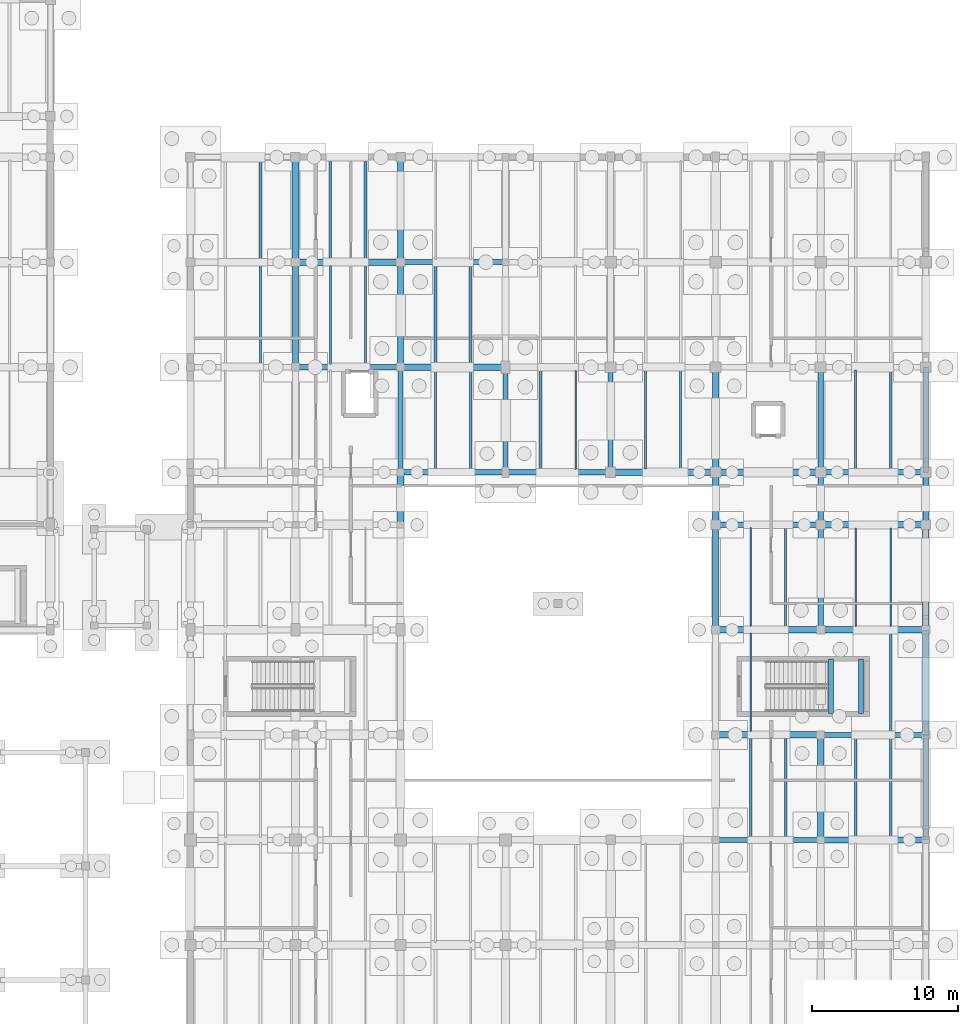
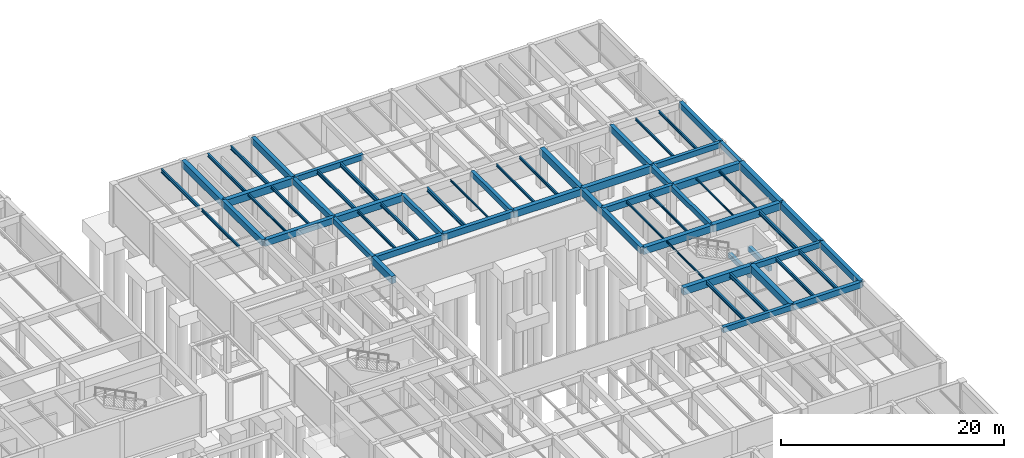
# One storey, part 37 of 63: 65 beams.
"""IFC4 building model written with IfcOpenShell, lengths in metres."""

from ifc_helpers import new_model, si_unit, direction, frame, origin, origin_2d, place, context, subcontext, project, spatial, rectangle, i_section, extrude, material, material_profile, profile_set, type_object, element, save


model = new_model("IFC4")

# Units and contexts
model_context = context("Model", 3, precision=1e-05, world=origin(), true_north=direction((0.0, 1.0)))
body_context = subcontext(model_context, "Body", "Model", "MODEL_VIEW")
ifc_project = project(units=[si_unit("LENGTHUNIT", "METRE"), si_unit("AREAUNIT", "SQUARE_METRE"), si_unit("VOLUMEUNIT", "CUBIC_METRE"), si_unit("PLANEANGLEUNIT", "RADIAN"), si_unit("MASSUNIT", "GRAM", prefix="KILO")], contexts=[model_context])

# Site, building, storey
site_placement = place(None, origin())
site = spatial("IfcSite", under=ifc_project, at=site_placement, CompositionType="ELEMENT")
building_placement = place(site_placement, origin())
building = spatial("IfcBuilding", under=site, at=building_placement, Name="Mazaris Harbour Polytechnic", CompositionType="ELEMENT")
storey_placement = place(building_placement, frame((0.0, 0.0, -4.5)))
storey = spatial("IfcBuildingStorey", under=building, at=storey_placement, Name="B1", CompositionType="ELEMENT", Elevation=-4.5)

# Beams
ifc_material_1 = material(Name="Concrete C35/45", Category="concrete")
ifc_material_profile_1 = material_profile(ifc_material_1, rectangle(XDim=0.35009765625, YDim=0.60009765625, at=origin_2d()), Name="RECT350x600")
ifc_profile_set_1 = profile_set([ifc_material_profile_1], Name="Concrete C35/45")
beam_type_1 = type_object("IfcBeamType", Name="RC Girder 350x600", PredefinedType="BEAM", material=ifc_profile_set_1)
beam_1_placement = place(storey_placement, frame((158.39990234375, 61.199951171875, 3.8798828125), z_axis=(1.0, 0.0, 0.0), x_axis=(0.0, 1.0, 0.0)))
element("IfcBeam", 1, at=beam_1_placement, inside=storey, type_object=beam_type_1, Name="V5 B1 Girder 2505", PredefinedType="BEAM", context=body_context, shape_type="SweptSolid", body=[
    extrude(rectangle(XDim=0.35009765625, YDim=0.60009765625, at=origin_2d()), origin(), (0.0, 0.0, 1.0), 7.2001953125),
])
for number, where, z_axis, x_axis, name in (
    (2, (165.60009765625, 68.39990234375, 3.8798828125), (1.0, 0.0, 0.0), (0.0, 1.0, 0.0), "V5 B1 Girder 2510"),
    (3, (165.60009765625, 86.39990234375, 3.8798828125), (1.0, 0.0, 0.0), (0.0, 1.0, 0.0), "V5 B1 Girder 2525"),
    (4, (136.800048828125, 100.800048828125, 3.8798828125), (1.0, 0.0, 0.0), (0.0, 1.0, 0.0), "V5 B1 Girder 2535"),
):
    element("IfcBeam", number, at=place(storey_placement, frame(where, z_axis=z_axis, x_axis=x_axis)), inside=storey, type_object=beam_type_1, Name=name, PredefinedType="BEAM", context=body_context, shape_type="SweptSolid", body=[
        extrude(rectangle(XDim=0.35009765625, YDim=0.60009765625, at=origin_2d()), origin(), (0.0, 0.0, 1.0), 7.199951171875),
    ])
for number, where, z_axis, x_axis, name in (
    (5, (136.800048828125, 86.39990234375, 3.8798828125), (0.0, 1.0, 0.0), (-1.0, 0.0, 0.0), "V5 B1 Tie Girder 2570"),
    (6, (144.0, 86.39990234375, 3.8798828125), (0.0, 1.0, 0.0), (-1.0, 0.0, 0.0), "V5 B1 Tie Girder 2575"),
    (7, (151.199951171875, 86.39990234375, 3.8798828125), (0.0, 1.0, 0.0), (-1.0, 0.0, 0.0), "V5 B1 Tie Girder 2580"),
):
    element("IfcBeam", number, at=place(storey_placement, frame(where, z_axis=z_axis, x_axis=x_axis)), inside=storey, type_object=beam_type_1, Name=name, PredefinedType="BEAM", context=body_context, shape_type="SweptSolid", body=[
        extrude(rectangle(XDim=0.35009765625, YDim=0.60009765625, at=origin_2d()), origin(), (0.0, 0.0, 1.0), 7.2001953125),
    ])
beam_2_placement = place(storey_placement, frame((165.60009765625, 75.60009765625, 3.8798828125), z_axis=(0.0, 1.0, 0.0), x_axis=(-1.0, 0.0, 0.0)))
element("IfcBeam", 8, at=beam_2_placement, inside=storey, type_object=beam_type_1, Name="V5 B1 Tie Girder 2595", PredefinedType="BEAM", context=body_context, shape_type="SweptSolid", body=[
    extrude(rectangle(XDim=0.35009765625, YDim=0.60009765625, at=origin_2d()), origin(), (0.0, 0.0, 1.0), 7.199951171875),
])
ifc_material_2 = material(Name="Concrete C35/45", Category="concrete")
ifc_material_profile_2 = material_profile(ifc_material_2, rectangle(XDim=0.35009765625, YDim=0.60009765625, at=origin_2d()), Name="RECT350x600")
ifc_profile_set_2 = profile_set([ifc_material_profile_2], Name="Concrete C35/45")
beam_type_2 = type_object("IfcBeamType", Name="RC Girder 350x600 Exterior", PredefinedType="BEAM", material=ifc_profile_set_2)
beam_3_placement = place(storey_placement, frame((172.800048828125, 82.800048828125, 3.8798828125), z_axis=(0.0, 1.0, 0.0), x_axis=(-1.0, 0.0, 0.0)))
element("IfcBeam", 9, at=beam_3_placement, inside=storey, type_object=beam_type_2, Name="V5 B1 Tie Girder 2605", PredefinedType="BEAM", context=body_context, shape_type="SweptSolid", body=[
    extrude(rectangle(XDim=0.35009765625, YDim=0.60009765625, at=origin_2d()), origin(), (0.0, 0.0, 1.0), 3.599853515625),
])
ifc_material_3 = material(Name="Concrete C35/45", Category="concrete")
ifc_material_profile_3 = material_profile(ifc_material_3, rectangle(XDim=0.39990234375, YDim=0.64990234375, at=origin_2d()), Name="RECT400x650")
ifc_profile_set_3 = profile_set([ifc_material_profile_3], Name="Concrete C35/45")
beam_type_3 = type_object("IfcBeamType", Name="RC Girder 400x650", PredefinedType="BEAM", material=ifc_profile_set_3)
for number, where, z_axis, x_axis, name in (
    (10, (165.60009765625, 61.199951171875, 3.85498046875), (1.0, 0.0, 0.0), (0.0, 1.0, 0.0), "V5 B1 Girder 2506"),
    (11, (136.800048828125, 86.39990234375, 3.85498046875), (1.0, 0.0, 0.0), (0.0, 1.0, 0.0), "V5 B1 Girder 2521"),
    (12, (136.800048828125, 93.60009765625, 3.85498046875), (0.0, 1.0, 0.0), (-1.0, 0.0, 0.0), "V5 B1 Tie Girder 2571"),
):
    element("IfcBeam", number, at=place(storey_placement, frame(where, z_axis=z_axis, x_axis=x_axis)), inside=storey, type_object=beam_type_3, Name=name, PredefinedType="BEAM", context=body_context, shape_type="SweptSolid", body=[
        extrude(rectangle(XDim=0.39990234375, YDim=0.64990234375, at=origin_2d()), origin(), (0.0, 0.0, 1.0), 7.199951171875),
    ])
beam_4_placement = place(storey_placement, frame((165.60009765625, 82.800048828125, 3.85498046875), z_axis=(0.0, 1.0, 0.0), x_axis=(-1.0, 0.0, 0.0)))
element("IfcBeam", 13, at=beam_4_placement, inside=storey, type_object=beam_type_3, Name="V5 B1 Tie Girder 2596", PredefinedType="BEAM", context=body_context, shape_type="SweptSolid", body=[
    extrude(rectangle(XDim=0.39990234375, YDim=0.64990234375, at=origin_2d()), origin(), (0.0, 0.0, 1.0), 3.599853515625),
])
ifc_material_4 = material(Name="Concrete C35/45", Category="concrete")
ifc_material_profile_4 = material_profile(ifc_material_4, rectangle(XDim=0.39990234375, YDim=0.64990234375, at=origin_2d()), Name="RECT400x650")
ifc_profile_set_4 = profile_set([ifc_material_profile_4], Name="Concrete C35/45")
beam_type_4 = type_object("IfcBeamType", Name="RC Girder 400x650 Exterior", PredefinedType="BEAM", material=ifc_profile_set_4)
beam_5_placement = place(storey_placement, frame((172.800048828125, 86.39990234375, 3.85498046875), z_axis=(0.0, 1.0, 0.0), x_axis=(-1.0, 0.0, 0.0)))
element("IfcBeam", 14, at=beam_5_placement, inside=storey, type_object=beam_type_4, Name="V5 B1 Tie Girder 2606", PredefinedType="BEAM", context=body_context, shape_type="SweptSolid", body=[
    extrude(rectangle(XDim=0.39990234375, YDim=0.64990234375, at=origin_2d()), origin(), (0.0, 0.0, 1.0), 7.2001953125),
])
ifc_material_5 = material(Name="Concrete C35/45", Category="concrete")
ifc_material_profile_5 = material_profile(ifc_material_5, rectangle(XDim=0.39990234375, YDim=0.699951171875, at=origin_2d()), Name="RECT400x700")
ifc_profile_set_5 = profile_set([ifc_material_profile_5], Name="Concrete C35/45")
beam_type_5 = type_object("IfcBeamType", Name="RC Girder 400x700", PredefinedType="BEAM", material=ifc_profile_set_5)
beam_6_placement = place(storey_placement, frame((158.39990234375, 82.800048828125, 3.830078125), z_axis=(1.0, 0.0, 0.0), x_axis=(0.0, 1.0, 0.0)))
element("IfcBeam", 15, at=beam_6_placement, inside=storey, type_object=beam_type_5, Name="V5 B1 Girder 2517", PredefinedType="BEAM", context=body_context, shape_type="SweptSolid", body=[
    extrude(rectangle(XDim=0.39990234375, YDim=0.699951171875, at=origin_2d()), origin(), (0.0, 0.0, 1.0), 7.2001953125),
])
for number, where, z_axis, x_axis, name in (
    (16, (144.0, 86.39990234375, 3.830078125), (1.0, 0.0, 0.0), (0.0, 1.0, 0.0), "V5 B1 Girder 2522"),
    (17, (129.60009765625, 93.60009765625, 3.830078125), (1.0, 0.0, 0.0), (0.0, 1.0, 0.0), "V5 B1 Girder 2527"),
    (18, (129.60009765625, 93.60009765625, 3.830078125), (0.0, 1.0, 0.0), (-1.0, 0.0, 0.0), "V5 B1 Tie Girder 2562"),
    (19, (136.800048828125, 100.800048828125, 3.830078125), (0.0, 1.0, 0.0), (-1.0, 0.0, 0.0), "V5 B1 Tie Girder 2572"),
    (20, (158.39990234375, 75.60009765625, 3.830078125), (0.0, 1.0, 0.0), (-1.0, 0.0, 0.0), "V5 B1 Tie Girder 2587"),
):
    element("IfcBeam", number, at=place(storey_placement, frame(where, z_axis=z_axis, x_axis=x_axis)), inside=storey, type_object=beam_type_5, Name=name, PredefinedType="BEAM", context=body_context, shape_type="SweptSolid", body=[
        extrude(rectangle(XDim=0.39990234375, YDim=0.699951171875, at=origin_2d()), origin(), (0.0, 0.0, 1.0), 7.199951171875),
    ])
beam_7_placement = place(storey_placement, frame((165.60009765625, 86.39990234375, 3.830078125), z_axis=(0.0, 1.0, 0.0), x_axis=(-1.0, 0.0, 0.0)))
element("IfcBeam", 21, at=beam_7_placement, inside=storey, type_object=beam_type_5, Name="V5 B1 Tie Girder 2597", PredefinedType="BEAM", context=body_context, shape_type="SweptSolid", body=[
    extrude(rectangle(XDim=0.39990234375, YDim=0.699951171875, at=origin_2d()), origin(), (0.0, 0.0, 1.0), 7.2001953125),
])
ifc_material_6 = material(Name="Concrete C35/45", Category="concrete")
ifc_material_profile_6 = material_profile(ifc_material_6, rectangle(XDim=0.39990234375, YDim=0.699951171875, at=origin_2d()), Name="RECT400x700")
ifc_profile_set_6 = profile_set([ifc_material_profile_6], Name="Concrete C35/45")
beam_type_6 = type_object("IfcBeamType", Name="RC Girder 400x700 Exterior", PredefinedType="BEAM", material=ifc_profile_set_6)
beam_8_placement = place(storey_placement, frame((172.800048828125, 61.199951171875, 3.830078125), z_axis=(0.0, 1.0, 0.0), x_axis=(-1.0, 0.0, 0.0)))
element("IfcBeam", 22, at=beam_8_placement, inside=storey, type_object=beam_type_6, Name="V5 B1 Tie Girder 2602", PredefinedType="BEAM", context=body_context, shape_type="SweptSolid", body=[
    extrude(rectangle(XDim=0.39990234375, YDim=0.699951171875, at=origin_2d()), origin(), (0.0, 0.0, 1.0), 7.199951171875),
])
ifc_material_7 = material(Name="Concrete C40/50", Category="concrete")
ifc_material_profile_7 = material_profile(ifc_material_7, rectangle(XDim=0.449951171875, YDim=0.75, at=origin_2d()), Name="RECT450x750")
ifc_profile_set_7 = profile_set([ifc_material_profile_7], Name="Concrete C40/50")
beam_type_7 = type_object("IfcBeamType", Name="RC Girder 450x750", PredefinedType="BEAM", material=ifc_profile_set_7)
beam_9_placement = place(storey_placement, frame((158.39990234375, 75.60009765625, 3.804931640625), z_axis=(1.0, 0.0, 0.0), x_axis=(0.0, 1.0, 0.0)))
element("IfcBeam", 23, at=beam_9_placement, inside=storey, type_object=beam_type_7, Name="V5 B1 Girder 2513", PredefinedType="BEAM", context=body_context, shape_type="SweptSolid", body=[
    extrude(rectangle(XDim=0.449951171875, YDim=0.75, at=origin_2d()), origin(), (0.0, 0.0, 1.0), 7.2001953125),
])
for number, where, z_axis, x_axis, name in (
    (24, (165.60009765625, 82.800048828125, 3.804931640625), (1.0, 0.0, 0.0), (0.0, 1.0, 0.0), "V5 B1 Girder 2518"),
    (25, (151.199951171875, 86.39990234375, 3.804931640625), (1.0, 0.0, 0.0), (0.0, 1.0, 0.0), "V5 B1 Girder 2523"),
    (26, (136.800048828125, 93.60009765625, 3.804931640625), (1.0, 0.0, 0.0), (0.0, 1.0, 0.0), "V5 B1 Girder 2528"),
    (27, (129.60009765625, 100.800048828125, 3.804931640625), (0.0, 1.0, 0.0), (-1.0, 0.0, 0.0), "V5 B1 Tie Girder 2563"),
):
    element("IfcBeam", number, at=place(storey_placement, frame(where, z_axis=z_axis, x_axis=x_axis)), inside=storey, type_object=beam_type_7, Name=name, PredefinedType="BEAM", context=body_context, shape_type="SweptSolid", body=[
        extrude(rectangle(XDim=0.449951171875, YDim=0.75, at=origin_2d()), origin(), (0.0, 0.0, 1.0), 7.199951171875),
    ])
beam_10_placement = place(storey_placement, frame((158.39990234375, 82.800048828125, 3.804931640625), z_axis=(0.0, 1.0, 0.0), x_axis=(-1.0, 0.0, 0.0)))
element("IfcBeam", 28, at=beam_10_placement, inside=storey, type_object=beam_type_7, Name="V5 B1 Tie Girder 2588", PredefinedType="BEAM", context=body_context, shape_type="SweptSolid", body=[
    extrude(rectangle(XDim=0.449951171875, YDim=0.75, at=origin_2d()), origin(), (0.0, 0.0, 1.0), 3.599853515625),
])
ifc_material_8 = material(Name="Concrete C40/50", Category="concrete")
ifc_material_profile_8 = material_profile(ifc_material_8, rectangle(XDim=0.449951171875, YDim=0.75, at=origin_2d()), Name="RECT450x750")
ifc_profile_set_8 = profile_set([ifc_material_profile_8], Name="Concrete C40/50")
beam_type_8 = type_object("IfcBeamType", Name="RC Girder 450x750 Exterior", PredefinedType="BEAM", material=ifc_profile_set_8)
beam_11_placement = place(storey_placement, frame((172.800048828125, 68.39990234375, 3.804931640625), z_axis=(0.0, 1.0, 0.0), x_axis=(-1.0, 0.0, 0.0)))
element("IfcBeam", 29, at=beam_11_placement, inside=storey, type_object=beam_type_8, Name="V5 B1 Tie Girder 2603", PredefinedType="BEAM", context=body_context, shape_type="SweptSolid", body=[
    extrude(rectangle(XDim=0.449951171875, YDim=0.75, at=origin_2d()), origin(), (0.0, 0.0, 1.0), 7.2001953125),
])
ifc_material_9 = material(Name="Concrete C40/50", Category="concrete")
ifc_material_profile_9 = material_profile(ifc_material_9, rectangle(XDim=0.449951171875, YDim=0.800048828125, at=origin_2d()), Name="RECT450x800")
ifc_profile_set_9 = profile_set([ifc_material_profile_9], Name="Concrete C40/50")
beam_type_9 = type_object("IfcBeamType", Name="RC Girder 450x800", PredefinedType="BEAM", material=ifc_profile_set_9)
beam_12_placement = place(storey_placement, frame((158.39990234375, 68.39990234375, 3.780029296875), z_axis=(1.0, 0.0, 0.0), x_axis=(0.0, 1.0, 0.0)))
element("IfcBeam", 30, at=beam_12_placement, inside=storey, type_object=beam_type_9, Name="V5 B1 Girder 2509", PredefinedType="BEAM", context=body_context, shape_type="SweptSolid", body=[
    extrude(rectangle(XDim=0.449951171875, YDim=0.800048828125, at=origin_2d()), origin(), (0.0, 0.0, 1.0), 7.2001953125),
])
beam_13_placement = place(storey_placement, frame((165.60009765625, 75.60009765625, 3.780029296875), z_axis=(1.0, 0.0, 0.0), x_axis=(0.0, 1.0, 0.0)))
element("IfcBeam", 31, at=beam_13_placement, inside=storey, type_object=beam_type_9, Name="V5 B1 Girder 2514", PredefinedType="BEAM", context=body_context, shape_type="SweptSolid", body=[
    extrude(rectangle(XDim=0.449951171875, YDim=0.800048828125, at=origin_2d()), origin(), (0.0, 0.0, 1.0), 7.199951171875),
])
beam_14_placement = place(storey_placement, frame((158.39990234375, 86.39990234375, 3.780029296875), z_axis=(1.0, 0.0, 0.0), x_axis=(0.0, 1.0, 0.0)))
element("IfcBeam", 32, at=beam_14_placement, inside=storey, type_object=beam_type_9, Name="V5 B1 Girder 2524", PredefinedType="BEAM", context=body_context, shape_type="SweptSolid", body=[
    extrude(rectangle(XDim=0.449951171875, YDim=0.800048828125, at=origin_2d()), origin(), (0.0, 0.0, 1.0), 7.2001953125),
])
beam_15_placement = place(storey_placement, frame((129.60009765625, 100.800048828125, 3.780029296875), z_axis=(1.0, 0.0, 0.0), x_axis=(0.0, 1.0, 0.0)))
element("IfcBeam", 33, at=beam_15_placement, inside=storey, type_object=beam_type_9, Name="V5 B1 Girder 2534", PredefinedType="BEAM", context=body_context, shape_type="SweptSolid", body=[
    extrude(rectangle(XDim=0.449951171875, YDim=0.800048828125, at=origin_2d()), origin(), (0.0, 0.0, 1.0), 7.199951171875),
])
beam_16_placement = place(storey_placement, frame((136.800048828125, 82.800048828125, 3.780029296875), z_axis=(0.0, 1.0, 0.0), x_axis=(-1.0, 0.0, 0.0)))
element("IfcBeam", 34, at=beam_16_placement, inside=storey, type_object=beam_type_9, Name="V5 B1 Tie Girder 2569", PredefinedType="BEAM", context=body_context, shape_type="SweptSolid", body=[
    extrude(rectangle(XDim=0.449951171875, YDim=0.800048828125, at=origin_2d()), origin(), (0.0, 0.0, 1.0), 3.599853515625),
])
beam_17_placement = place(storey_placement, frame((158.39990234375, 86.39990234375, 3.780029296875), z_axis=(0.0, 1.0, 0.0), x_axis=(-1.0, 0.0, 0.0)))
element("IfcBeam", 35, at=beam_17_placement, inside=storey, type_object=beam_type_9, Name="V5 B1 Tie Girder 2589", PredefinedType="BEAM", context=body_context, shape_type="SweptSolid", body=[
    extrude(rectangle(XDim=0.449951171875, YDim=0.800048828125, at=origin_2d()), origin(), (0.0, 0.0, 1.0), 7.2001953125),
])
beam_18_placement = place(storey_placement, frame((165.60009765625, 61.199951171875, 3.780029296875), z_axis=(0.0, 1.0, 0.0), x_axis=(-1.0, 0.0, 0.0)))
element("IfcBeam", 36, at=beam_18_placement, inside=storey, type_object=beam_type_9, Name="V5 B1 Tie Girder 2594", PredefinedType="BEAM", context=body_context, shape_type="SweptSolid", body=[
    extrude(rectangle(XDim=0.449951171875, YDim=0.800048828125, at=origin_2d()), origin(), (0.0, 0.0, 1.0), 7.199951171875),
])
ifc_material_10 = material(Name="Concrete C40/50", Category="concrete")
ifc_material_profile_10 = material_profile(ifc_material_10, rectangle(XDim=0.449951171875, YDim=0.800048828125, at=origin_2d()), Name="RECT450x800")
ifc_profile_set_10 = profile_set([ifc_material_profile_10], Name="Concrete C40/50")
beam_type_10 = type_object("IfcBeamType", Name="RC Girder 450x800 Exterior", PredefinedType="BEAM", material=ifc_profile_set_10)
beam_19_placement = place(storey_placement, frame((172.800048828125, 75.60009765625, 3.780029296875), z_axis=(0.0, 1.0, 0.0), x_axis=(-1.0, 0.0, 0.0)))
element("IfcBeam", 37, at=beam_19_placement, inside=storey, type_object=beam_type_10, Name="V5 B1 Tie Girder 2604", PredefinedType="BEAM", context=body_context, shape_type="SweptSolid", body=[
    extrude(rectangle(XDim=0.449951171875, YDim=0.800048828125, at=origin_2d()), origin(), (0.0, 0.0, 1.0), 7.199951171875),
])
ifc_material_11 = material(Name="Concrete C40/50", Category="concrete")
ifc_material_profile_11 = material_profile(ifc_material_11, rectangle(XDim=0.35009765625, YDim=0.52001953125, at=origin_2d()), Name="RECT350x520")
ifc_profile_set_11 = profile_set([ifc_material_profile_11], Name="Concrete C40/50")
beam_type_11 = type_object("IfcBeamType", Name="RC Landing Bearer 350x520", PredefinedType="BEAM", material=ifc_profile_set_11)
for number, where, z_axis, x_axis, name in (
    (38, (166.300048828125, 69.85009765625, 1.7900390625), (0.0, 1.0, 0.0), (-1.0, 0.0, 0.0), "Core ST10 B1 Landing Bearer"),
    (39, (168.35009765625, 69.85009765625, 1.7900390625), (0.0, 1.0, 0.0), (-1.0, 0.0, 0.0), "Core ST10 B1 Landing Bearer"),
):
    element("IfcBeam", number, at=place(storey_placement, frame(where, z_axis=z_axis, x_axis=x_axis)), inside=storey, type_object=beam_type_11, Name=name, PredefinedType="BEAM", context=body_context, shape_type="SweptSolid", body=[
        extrude(rectangle(XDim=0.35009765625, YDim=0.52001953125, at=origin_2d()), origin(), (0.0, 0.0, 1.0), 3.75),
    ])
ifc_material_12 = material(Name="Steel S355", Category="steel")
ifc_material_profile_12 = material_profile(ifc_material_12, i_section(OverallWidth=0.10009765625, OverallDepth=0.199951171875, WebThickness=0.005615234375, FlangeThickness=0.008544921875, FilletRadius=0.011962890625, at=origin_2d()), Name="IPE 200")
ifc_profile_set_12 = profile_set([ifc_material_profile_12], Name="Steel S355")
beam_type_12 = type_object("IfcBeamType", Name="Steel Joist IPE200", PredefinedType="JOIST", material=ifc_profile_set_12)
beam_20_placement = place(storey_placement, frame((148.800048828125, 86.60009765625, 4.080078125), z_axis=(0.0, 1.0, 0.0), x_axis=(-1.0, 0.0, 0.0)))
element("IfcBeam", 40, at=beam_20_placement, inside=storey, type_object=beam_type_12, Name="V5 B1 Floor Joist 2653", PredefinedType="JOIST", context=body_context, shape_type="SweptSolid", body=[
    extrude(i_section(OverallWidth=0.10009765625, OverallDepth=0.199951171875, WebThickness=0.005615234375, FlangeThickness=0.008544921875, FilletRadius=0.011962890625, at=origin_2d()), origin(), (0.0, 0.0, 1.0), 6.77490234375),
])
for number, where, z_axis, x_axis, name in (
    (41, (160.800048828125, 68.625, 4.080078125), (0.0, 1.0, 0.0), (-1.0, 0.0, 0.0), "V5 B1 Floor Joist 2674"),
    (42, (168.0, 75.824951171875, 4.080078125), (0.0, 1.0, 0.0), (-1.0, 0.0, 0.0), "V5 B1 Floor Joist 2688"),
):
    element("IfcBeam", number, at=place(storey_placement, frame(where, z_axis=z_axis, x_axis=x_axis)), inside=storey, type_object=beam_type_12, Name=name, PredefinedType="JOIST", context=body_context, shape_type="SweptSolid", body=[
        extrude(i_section(OverallWidth=0.10009765625, OverallDepth=0.199951171875, WebThickness=0.005615234375, FlangeThickness=0.008544921875, FilletRadius=0.011962890625, at=origin_2d()), origin(), (0.0, 0.0, 1.0), 6.75),
    ])
ifc_material_13 = material(Name="Steel S355", Category="steel")
ifc_material_profile_13 = material_profile(ifc_material_13, i_section(OverallWidth=0.1201171875, OverallDepth=0.239990234375, WebThickness=0.006103515625, FlangeThickness=0.009765625, FilletRadius=0.014892578125, at=origin_2d()), Name="IPE 240")
ifc_profile_set_13 = profile_set([ifc_material_profile_13], Name="Steel S355")
beam_type_13 = type_object("IfcBeamType", Name="Steel Joist IPE240", PredefinedType="JOIST", material=ifc_profile_set_13)
beam_21_placement = place(storey_placement, frame((160.800048828125, 75.824951171875, 4.06005859375), z_axis=(0.0, 1.0, 0.0), x_axis=(-1.0, 0.0, 0.0)))
element("IfcBeam", 43, at=beam_21_placement, inside=storey, type_object=beam_type_13, Name="V5 B1 Floor Joist 2675", PredefinedType="JOIST", context=body_context, shape_type="SweptSolid", body=[
    extrude(i_section(OverallWidth=0.1201171875, OverallDepth=0.239990234375, WebThickness=0.006103515625, FlangeThickness=0.009765625, FilletRadius=0.014892578125, at=origin_2d()), origin(), (0.0, 0.0, 1.0), 6.775146484375),
])
beam_22_placement = place(storey_placement, frame((170.39990234375, 75.824951171875, 4.06005859375), z_axis=(0.0, 1.0, 0.0), x_axis=(-1.0, 0.0, 0.0)))
element("IfcBeam", 44, at=beam_22_placement, inside=storey, type_object=beam_type_13, Name="V5 B1 Floor Joist 2689", PredefinedType="JOIST", context=body_context, shape_type="SweptSolid", body=[
    extrude(i_section(OverallWidth=0.1201171875, OverallDepth=0.239990234375, WebThickness=0.006103515625, FlangeThickness=0.009765625, FilletRadius=0.014892578125, at=origin_2d()), origin(), (0.0, 0.0, 1.0), 6.75),
])
ifc_material_14 = material(Name="Steel S355", Category="steel")
ifc_material_profile_14 = material_profile(ifc_material_14, i_section(OverallWidth=0.135009765625, OverallDepth=0.27001953125, WebThickness=0.006591796875, FlangeThickness=0.01025390625, FilletRadius=0.014892578125, at=origin_2d()), Name="IPE 270")
ifc_profile_set_14 = profile_set([ifc_material_profile_14], Name="Steel S355")
beam_type_14 = type_object("IfcBeamType", Name="Steel Joist IPE270", PredefinedType="JOIST", material=ifc_profile_set_14)
beam_23_placement = place(storey_placement, frame((132.0, 93.800048828125, 4.044921875), z_axis=(0.0, 1.0, 0.0), x_axis=(-1.0, 0.0, 0.0)))
element("IfcBeam", 45, at=beam_23_placement, inside=storey, type_object=beam_type_14, Name="V5 B1 Floor Joist 2634", PredefinedType="JOIST", context=body_context, shape_type="SweptSolid", body=[
    extrude(i_section(OverallWidth=0.135009765625, OverallDepth=0.27001953125, WebThickness=0.006591796875, FlangeThickness=0.01025390625, FilletRadius=0.014892578125, at=origin_2d()), origin(), (0.0, 0.0, 1.0), 6.77490234375),
])
beam_24_placement = place(storey_placement, frame((153.60009765625, 86.625, 4.044921875), z_axis=(0.0, 1.0, 0.0), x_axis=(-1.0, 0.0, 0.0)))
element("IfcBeam", 46, at=beam_24_placement, inside=storey, type_object=beam_type_14, Name="V5 B1 Floor Joist 2662", PredefinedType="JOIST", context=body_context, shape_type="SweptSolid", body=[
    extrude(i_section(OverallWidth=0.135009765625, OverallDepth=0.27001953125, WebThickness=0.006591796875, FlangeThickness=0.01025390625, FilletRadius=0.014892578125, at=origin_2d()), origin(), (0.0, 0.0, 1.0), 6.800048828125),
])
beam_25_placement = place(storey_placement, frame((163.199951171875, 75.824951171875, 4.044921875), z_axis=(0.0, 1.0, 0.0), x_axis=(-1.0, 0.0, 0.0)))
element("IfcBeam", 47, at=beam_25_placement, inside=storey, type_object=beam_type_14, Name="V5 B1 Floor Joist 2676", PredefinedType="JOIST", context=body_context, shape_type="SweptSolid", body=[
    extrude(i_section(OverallWidth=0.135009765625, OverallDepth=0.27001953125, WebThickness=0.006591796875, FlangeThickness=0.01025390625, FilletRadius=0.014892578125, at=origin_2d()), origin(), (0.0, 0.0, 1.0), 6.775146484375),
])
beam_26_placement = place(storey_placement, frame((168.0, 86.574951171875, 4.044921875), z_axis=(0.0, 1.0, 0.0), x_axis=(-1.0, 0.0, 0.0)))
element("IfcBeam", 48, at=beam_26_placement, inside=storey, type_object=beam_type_14, Name="V5 B1 Floor Joist 2690", PredefinedType="JOIST", context=body_context, shape_type="SweptSolid", body=[
    extrude(i_section(OverallWidth=0.135009765625, OverallDepth=0.27001953125, WebThickness=0.006591796875, FlangeThickness=0.01025390625, FilletRadius=0.014892578125, at=origin_2d()), origin(), (0.0, 0.0, 1.0), 6.824951171875),
])
ifc_material_15 = material(Name="Steel S355", Category="steel")
ifc_material_profile_15 = material_profile(ifc_material_15, i_section(OverallWidth=0.14990234375, OverallDepth=0.300048828125, WebThickness=0.007080078125, FlangeThickness=0.0107421875, FilletRadius=0.014892578125, at=origin_2d()), Name="IPE 300")
ifc_profile_set_15 = profile_set([ifc_material_profile_15], Name="Steel S355")
beam_type_15 = type_object("IfcBeamType", Name="Steel Joist IPE300", PredefinedType="JOIST", material=ifc_profile_set_15)
for number, where, z_axis, x_axis, name in (
    (49, (127.199951171875, 93.800048828125, 4.030029296875), (0.0, 1.0, 0.0), (-1.0, 0.0, 0.0), "V5 B1 Floor Joist 2621"),
    (50, (134.39990234375, 93.800048828125, 4.030029296875), (0.0, 1.0, 0.0), (-1.0, 0.0, 0.0), "V5 B1 Floor Joist 2635"),
    (51, (139.199951171875, 86.60009765625, 4.030029296875), (0.0, 1.0, 0.0), (-1.0, 0.0, 0.0), "V5 B1 Floor Joist 2642"),
):
    element("IfcBeam", number, at=place(storey_placement, frame(where, z_axis=z_axis, x_axis=x_axis)), inside=storey, type_object=beam_type_15, Name=name, PredefinedType="JOIST", context=body_context, shape_type="SweptSolid", body=[
        extrude(i_section(OverallWidth=0.14990234375, OverallDepth=0.300048828125, WebThickness=0.007080078125, FlangeThickness=0.0107421875, FilletRadius=0.014892578125, at=origin_2d()), origin(), (0.0, 0.0, 1.0), 6.77490234375),
    ])
beam_27_placement = place(storey_placement, frame((156.0, 86.625, 4.030029296875), z_axis=(0.0, 1.0, 0.0), x_axis=(-1.0, 0.0, 0.0)))
element("IfcBeam", 52, at=beam_27_placement, inside=storey, type_object=beam_type_15, Name="V5 B1 Floor Joist 2663", PredefinedType="JOIST", context=body_context, shape_type="SweptSolid", body=[
    extrude(i_section(OverallWidth=0.14990234375, OverallDepth=0.300048828125, WebThickness=0.007080078125, FlangeThickness=0.0107421875, FilletRadius=0.014892578125, at=origin_2d()), origin(), (0.0, 0.0, 1.0), 6.800048828125),
])
beam_28_placement = place(storey_placement, frame((170.39990234375, 86.574951171875, 4.030029296875), z_axis=(0.0, 1.0, 0.0), x_axis=(-1.0, 0.0, 0.0)))
element("IfcBeam", 53, at=beam_28_placement, inside=storey, type_object=beam_type_15, Name="V5 B1 Floor Joist 2691", PredefinedType="JOIST", context=body_context, shape_type="SweptSolid", body=[
    extrude(i_section(OverallWidth=0.14990234375, OverallDepth=0.300048828125, WebThickness=0.007080078125, FlangeThickness=0.0107421875, FilletRadius=0.014892578125, at=origin_2d()), origin(), (0.0, 0.0, 1.0), 6.824951171875),
])
ifc_material_16 = material(Name="Steel S355", Category="steel")
ifc_material_profile_16 = material_profile(ifc_material_16, i_section(OverallWidth=0.169921875, OverallDepth=0.360107421875, WebThickness=0.008056640625, FlangeThickness=0.0126953125, FilletRadius=0.01806640625, at=origin_2d()), Name="IPE 360")
ifc_profile_set_16 = profile_set([ifc_material_profile_16], Name="Steel S355")
beam_type_16 = type_object("IfcBeamType", Name="Steel Joist IPE360", PredefinedType="JOIST", material=ifc_profile_set_16)
beam_29_placement = place(storey_placement, frame((132.0, 101.02490234375, 4.0), z_axis=(0.0, 1.0, 0.0), x_axis=(-1.0, 0.0, 0.0)))
element("IfcBeam", 54, at=beam_29_placement, inside=storey, type_object=beam_type_16, Name="V5 B1 Floor Joist 2636", PredefinedType="JOIST", context=body_context, shape_type="SweptSolid", body=[
    extrude(i_section(OverallWidth=0.169921875, OverallDepth=0.360107421875, WebThickness=0.008056640625, FlangeThickness=0.0126953125, FilletRadius=0.01806640625, at=origin_2d()), origin(), (0.0, 0.0, 1.0), 6.775146484375),
])
beam_30_placement = place(storey_placement, frame((141.60009765625, 86.60009765625, 4.0), z_axis=(0.0, 1.0, 0.0), x_axis=(-1.0, 0.0, 0.0)))
element("IfcBeam", 55, at=beam_30_placement, inside=storey, type_object=beam_type_16, Name="V5 B1 Floor Joist 2643", PredefinedType="JOIST", context=body_context, shape_type="SweptSolid", body=[
    extrude(i_section(OverallWidth=0.169921875, OverallDepth=0.360107421875, WebThickness=0.008056640625, FlangeThickness=0.0126953125, FilletRadius=0.01806640625, at=origin_2d()), origin(), (0.0, 0.0, 1.0), 6.77490234375),
])
beam_31_placement = place(storey_placement, frame((168.0, 61.39990234375, 4.0), z_axis=(0.0, 1.0, 0.0), x_axis=(-1.0, 0.0, 0.0)))
element("IfcBeam", 56, at=beam_31_placement, inside=storey, type_object=beam_type_16, Name="V5 B1 Floor Joist 2685", PredefinedType="JOIST", context=body_context, shape_type="SweptSolid", body=[
    extrude(i_section(OverallWidth=0.169921875, OverallDepth=0.360107421875, WebThickness=0.008056640625, FlangeThickness=0.0126953125, FilletRadius=0.01806640625, at=origin_2d()), origin(), (0.0, 0.0, 1.0), 6.8251953125),
])
ifc_material_17 = material(Name="Steel S355", Category="steel")
ifc_material_profile_17 = material_profile(ifc_material_17, i_section(OverallWidth=0.179931640625, OverallDepth=0.39990234375, WebThickness=0.008544921875, FlangeThickness=0.013427734375, FilletRadius=0.02099609375, at=origin_2d()), Name="IPE 400")
ifc_profile_set_17 = profile_set([ifc_material_profile_17], Name="Steel S355")
beam_type_17 = type_object("IfcBeamType", Name="Steel Joist IPE400", PredefinedType="JOIST", material=ifc_profile_set_17)
beam_32_placement = place(storey_placement, frame((127.199951171875, 101.02490234375, 3.97998046875), z_axis=(0.0, 1.0, 0.0), x_axis=(-1.0, 0.0, 0.0)))
element("IfcBeam", 57, at=beam_32_placement, inside=storey, type_object=beam_type_17, Name="V5 B1 Floor Joist 2623", PredefinedType="JOIST", context=body_context, shape_type="SweptSolid", body=[
    extrude(i_section(OverallWidth=0.179931640625, OverallDepth=0.39990234375, WebThickness=0.008544921875, FlangeThickness=0.013427734375, FilletRadius=0.02099609375, at=origin_2d()), origin(), (0.0, 0.0, 1.0), 6.800048828125),
])
beam_33_placement = place(storey_placement, frame((134.39990234375, 101.02490234375, 3.97998046875), z_axis=(0.0, 1.0, 0.0), x_axis=(-1.0, 0.0, 0.0)))
element("IfcBeam", 58, at=beam_33_placement, inside=storey, type_object=beam_type_17, Name="V5 B1 Floor Joist 2637", PredefinedType="JOIST", context=body_context, shape_type="SweptSolid", body=[
    extrude(i_section(OverallWidth=0.179931640625, OverallDepth=0.39990234375, WebThickness=0.008544921875, FlangeThickness=0.013427734375, FilletRadius=0.02099609375, at=origin_2d()), origin(), (0.0, 0.0, 1.0), 6.775146484375),
])
for number, where, z_axis, x_axis, name in (
    (59, (139.199951171875, 93.824951171875, 3.97998046875), (0.0, 1.0, 0.0), (-1.0, 0.0, 0.0), "V5 B1 Floor Joist 2644"),
    (60, (160.800048828125, 61.375, 3.97998046875), (0.0, 1.0, 0.0), (-1.0, 0.0, 0.0), "V5 B1 Floor Joist 2672"),
):
    element("IfcBeam", number, at=place(storey_placement, frame(where, z_axis=z_axis, x_axis=x_axis)), inside=storey, type_object=beam_type_17, Name=name, PredefinedType="JOIST", context=body_context, shape_type="SweptSolid", body=[
        extrude(i_section(OverallWidth=0.179931640625, OverallDepth=0.39990234375, WebThickness=0.008544921875, FlangeThickness=0.013427734375, FilletRadius=0.02099609375, at=origin_2d()), origin(), (0.0, 0.0, 1.0), 6.800048828125),
    ])
beam_34_placement = place(storey_placement, frame((170.39990234375, 61.39990234375, 3.97998046875), z_axis=(0.0, 1.0, 0.0), x_axis=(-1.0, 0.0, 0.0)))
element("IfcBeam", 61, at=beam_34_placement, inside=storey, type_object=beam_type_17, Name="V5 B1 Floor Joist 2686", PredefinedType="JOIST", context=body_context, shape_type="SweptSolid", body=[
    extrude(i_section(OverallWidth=0.179931640625, OverallDepth=0.39990234375, WebThickness=0.008544921875, FlangeThickness=0.013427734375, FilletRadius=0.02099609375, at=origin_2d()), origin(), (0.0, 0.0, 1.0), 6.8251953125),
])
ifc_material_18 = material(Name="Steel S355", Category="steel")
ifc_material_profile_18 = material_profile(ifc_material_18, i_section(OverallWidth=0.18994140625, OverallDepth=0.449951171875, WebThickness=0.009521484375, FlangeThickness=0.0146484375, FilletRadius=0.02099609375, at=origin_2d()), Name="IPE 450")
ifc_profile_set_18 = profile_set([ifc_material_profile_18], Name="Steel S355")
beam_type_18 = type_object("IfcBeamType", Name="Steel Joist IPE450", PredefinedType="JOIST", material=ifc_profile_set_18)
beam_35_placement = place(storey_placement, frame((141.60009765625, 93.824951171875, 3.955078125), z_axis=(0.0, 1.0, 0.0), x_axis=(-1.0, 0.0, 0.0)))
element("IfcBeam", 62, at=beam_35_placement, inside=storey, type_object=beam_type_18, Name="V5 B1 Floor Joist 2645", PredefinedType="JOIST", context=body_context, shape_type="SweptSolid", body=[
    extrude(i_section(OverallWidth=0.18994140625, OverallDepth=0.449951171875, WebThickness=0.009521484375, FlangeThickness=0.0146484375, FilletRadius=0.02099609375, at=origin_2d()), origin(), (0.0, 0.0, 1.0), 6.800048828125),
])
beam_36_placement = place(storey_placement, frame((146.39990234375, 86.60009765625, 3.955078125), z_axis=(0.0, 1.0, 0.0), x_axis=(-1.0, 0.0, 0.0)))
element("IfcBeam", 63, at=beam_36_placement, inside=storey, type_object=beam_type_18, Name="V5 B1 Floor Joist 2652", PredefinedType="JOIST", context=body_context, shape_type="SweptSolid", body=[
    extrude(i_section(OverallWidth=0.18994140625, OverallDepth=0.449951171875, WebThickness=0.009521484375, FlangeThickness=0.0146484375, FilletRadius=0.02099609375, at=origin_2d()), origin(), (0.0, 0.0, 1.0), 6.77490234375),
])
for number, where, z_axis, x_axis, name in (
    (64, (163.199951171875, 61.375, 3.955078125), (0.0, 1.0, 0.0), (-1.0, 0.0, 0.0), "V5 B1 Floor Joist 2673"),
    (65, (170.39990234375, 68.574951171875, 3.955078125), (0.0, 1.0, 0.0), (-1.0, 0.0, 0.0), "V5 B1 Floor Joist 2687"),
):
    element("IfcBeam", number, at=place(storey_placement, frame(where, z_axis=z_axis, x_axis=x_axis)), inside=storey, type_object=beam_type_18, Name=name, PredefinedType="JOIST", context=body_context, shape_type="SweptSolid", body=[
        extrude(i_section(OverallWidth=0.18994140625, OverallDepth=0.449951171875, WebThickness=0.009521484375, FlangeThickness=0.0146484375, FilletRadius=0.02099609375, at=origin_2d()), origin(), (0.0, 0.0, 1.0), 6.800048828125),
    ])

save(model, "model.ifc")
